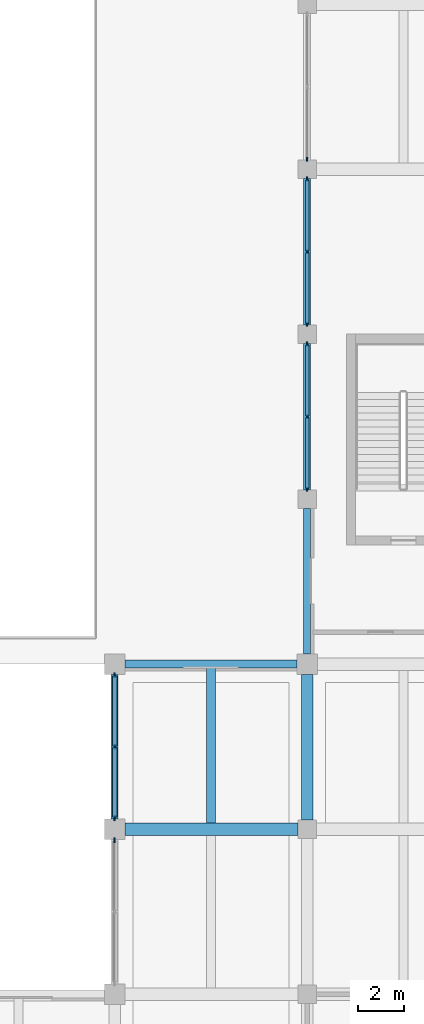
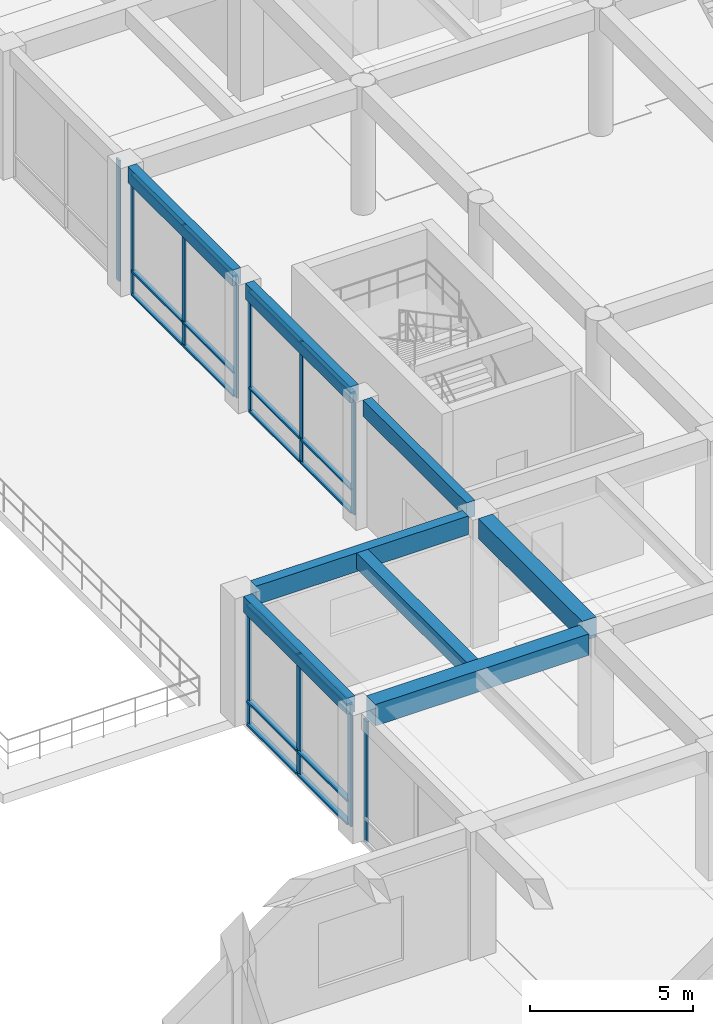
# One storey, part 7 of 49: 29 members, 8 beams, 5 elements without a shape of their own.
"""IFC4 building model written with IfcOpenShell, lengths in metres."""

from ifc_helpers import new_model, si_unit, direction, frame, origin, origin_2d, place, context, subcontext, project, spatial, rectangle, extrude, material, material_profile, profile_set, type_object, element, aggregate, save


model = new_model("IFC4")

# Units and contexts
model_context = context("Model", 3, precision=1e-05, world=origin(), true_north=direction((0.0, 1.0)))
body_context = subcontext(model_context, "Body", "Model", "MODEL_VIEW")
ifc_project = project(units=[si_unit("LENGTHUNIT", "METRE"), si_unit("AREAUNIT", "SQUARE_METRE"), si_unit("VOLUMEUNIT", "CUBIC_METRE"), si_unit("PLANEANGLEUNIT", "RADIAN"), si_unit("MASSUNIT", "GRAM", prefix="KILO")], contexts=[model_context])

# Site, building, storey
site_placement = place(None, origin())
site = spatial("IfcSite", under=ifc_project, at=site_placement, CompositionType="ELEMENT")
building_placement = place(site_placement, origin())
building = spatial("IfcBuilding", under=site, at=building_placement, Name="Kenerak Square Central Library", CompositionType="ELEMENT")
storey_placement = place(building_placement, origin())
storey = spatial("IfcBuildingStorey", under=building, at=storey_placement, Name="L00", CompositionType="ELEMENT", Elevation=0.0)

# Beams
ifc_material_1 = material(Name="Concrete C40/50", Category="concrete")
ifc_material_profile_1 = material_profile(ifc_material_1, rectangle(XDim=0.300048828125, YDim=0.60009765625, at=origin_2d()), Name="RC 300x600")
ifc_profile_set_1 = profile_set([ifc_material_profile_1], Name="Concrete C40/50")
beam_type_1 = type_object("IfcBeamType", Name="Courtyard Spandrel Beam SP-02 RC 300x600 C40/50", PredefinedType="SPANDREL", material=ifc_profile_set_1)
beam_1_placement = place(storey_placement, frame((58.39990234375, 46.050048828125, 4.5), z_axis=(0.0, 1.0, 0.0), x_axis=(-1.0, 0.0, 0.0)))
element("IfcBeam", 1, at=beam_1_placement, inside=storey, type_object=beam_type_1, Name="Beam SP-02 L00 0617", PredefinedType="SPANDREL", context=body_context, shape_type="SweptSolid", body=[
    extrude(rectangle(XDim=0.300048828125, YDim=0.60009765625, at=origin_2d()), origin(), (0.0, 0.0, 1.0), 6.300048828125),
])
beam_2_placement = place(storey_placement, frame((66.800048828125, 53.25, 4.5), z_axis=(0.0, 1.0, 0.0), x_axis=(-1.0, 0.0, 0.0)))
element("IfcBeam", 2, at=beam_2_placement, inside=storey, type_object=beam_type_1, Name="Beam SP-02 L00 0626", PredefinedType="SPANDREL", context=body_context, shape_type="SweptSolid", body=[
    extrude(rectangle(XDim=0.300048828125, YDim=0.60009765625, at=origin_2d()), origin(), (0.0, 0.0, 1.0), 6.35009765625),
])
beam_3_placement = place(storey_placement, frame((66.800048828125, 60.39990234375, 4.5), z_axis=(0.0, 1.0, 0.0), x_axis=(-1.0, 0.0, 0.0)))
element("IfcBeam", 3, at=beam_3_placement, inside=storey, type_object=beam_type_1, Name="Beam SP-02 L00 0627", PredefinedType="SPANDREL", context=body_context, shape_type="SweptSolid", body=[
    extrude(rectangle(XDim=0.300048828125, YDim=0.60009765625, at=origin_2d()), origin(), (0.0, 0.0, 1.0), 6.400146484375),
])
beam_4_placement = place(storey_placement, frame((66.800048828125, 67.60009765625, 4.5), z_axis=(0.0, 1.0, 0.0), x_axis=(-1.0, 0.0, 0.0)))
element("IfcBeam", 4, at=beam_4_placement, inside=storey, type_object=beam_type_1, Name="Beam SP-02 L00 0628", PredefinedType="SPANDREL", context=body_context, shape_type="SweptSolid", body=[
    extrude(rectangle(XDim=0.300048828125, YDim=0.60009765625, at=origin_2d()), origin(), (0.0, 0.0, 1.0), 6.39990234375),
])

# Curtain wall, members
ifc_material_2 = material(Name="Anodised aluminium and solar-control low-E glazing", Category="aluminium")
curtain_wall_type_1 = type_object("IfcCurtainWallType", Name="Curtain Wall CW-V4-64x45 6400x4525", PredefinedType="USERDEFINED", material=ifc_material_2)
curtain_wall_1_placement = place(storey_placement, origin())
curtain_wall_1 = element("IfcCurtainWall", 5, at=curtain_wall_1_placement, inside=storey, type_object=curtain_wall_type_1, Name="Curtain Wall CW-V4-64x45 L00 0003", ObjectType="CURTAIN WALL", PredefinedType="USERDEFINED")
ifc_material_3 = material(Name="Anodised aluminium 6063-T6", Category="aluminium")
ifc_material_profile_2 = material_profile(ifc_material_3, rectangle(XDim=0.06494140625, YDim=0.179931640625, at=origin_2d()), Name="AL MULLION 65x180")
ifc_profile_set_2 = profile_set([ifc_material_profile_2], Name="Anodised aluminium 6063-T6")
member_type_1 = type_object("IfcMemberType", Name="Curtain Mullion CM-01 65x180", PredefinedType="MULLION", material=ifc_profile_set_2)
member_1_placement = place(storey_placement, frame((66.800048828125, 60.4326171875, 0.0), z_axis=(0.0, 0.0, 1.0), x_axis=(-1.0, 0.0, 0.0)))
member_1 = element("IfcMember", 6, at=member_1_placement, type_object=member_type_1, Name="CW-V4-64x45 Mullion 1", PredefinedType="MULLION", context=body_context, shape_type="SweptSolid", body=[
    extrude(rectangle(XDim=0.06494140625, YDim=0.179931640625, at=origin_2d()), origin(), (0.0, 0.0, 1.0), 4.52490234375),
])
member_2_placement = place(storey_placement, frame((66.800048828125, 63.60009765625, 0.0), z_axis=(0.0, 0.0, 1.0), x_axis=(-1.0, 0.0, 0.0)))
member_2 = element("IfcMember", 7, at=member_2_placement, type_object=member_type_1, Name="CW-V4-64x45 Mullion 2", PredefinedType="MULLION", context=body_context, shape_type="SweptSolid", body=[
    extrude(rectangle(XDim=0.06494140625, YDim=0.179931640625, at=origin_2d()), origin(), (0.0, 0.0, 1.0), 4.52490234375),
])
member_3_placement = place(storey_placement, frame((66.800048828125, 66.767578125, 0.0), z_axis=(0.0, 0.0, 1.0), x_axis=(-1.0, 0.0, 0.0)))
member_3 = element("IfcMember", 8, at=member_3_placement, type_object=member_type_1, Name="CW-V4-64x45 Mullion 3", PredefinedType="MULLION", context=body_context, shape_type="SweptSolid", body=[
    extrude(rectangle(XDim=0.06494140625, YDim=0.179931640625, at=origin_2d()), origin(), (0.0, 0.0, 1.0), 4.52490234375),
])

curtain_wall_2_placement = place(storey_placement, origin())
curtain_wall_2 = element("IfcCurtainWall", 9, at=curtain_wall_2_placement, inside=storey, type_object=curtain_wall_type_1, Name="Curtain Wall CW-V4-64x45 L00 0004", ObjectType="CURTAIN WALL", PredefinedType="USERDEFINED")
member_4_placement = place(storey_placement, frame((66.800048828125, 67.632568359375, 0.0), z_axis=(0.0, 0.0, 1.0), x_axis=(-1.0, 0.0, 0.0)))
member_4 = element("IfcMember", 10, at=member_4_placement, type_object=member_type_1, Name="CW-V4-64x45 Mullion 1", PredefinedType="MULLION", context=body_context, shape_type="SweptSolid", body=[
    extrude(rectangle(XDim=0.06494140625, YDim=0.179931640625, at=origin_2d()), origin(), (0.0, 0.0, 1.0), 4.52490234375),
])
member_5_placement = place(storey_placement, frame((66.800048828125, 70.800048828125, 0.0), z_axis=(0.0, 0.0, 1.0), x_axis=(-1.0, 0.0, 0.0)))
member_5 = element("IfcMember", 11, at=member_5_placement, type_object=member_type_1, Name="CW-V4-64x45 Mullion 2", PredefinedType="MULLION", context=body_context, shape_type="SweptSolid", body=[
    extrude(rectangle(XDim=0.06494140625, YDim=0.179931640625, at=origin_2d()), origin(), (0.0, 0.0, 1.0), 4.52490234375),
])
member_6_placement = place(storey_placement, frame((66.800048828125, 73.967529296875, 0.0), z_axis=(0.0, 0.0, 1.0), x_axis=(-1.0, 0.0, 0.0)))
member_6 = element("IfcMember", 12, at=member_6_placement, type_object=member_type_1, Name="CW-V4-64x45 Mullion 3", PredefinedType="MULLION", context=body_context, shape_type="SweptSolid", body=[
    extrude(rectangle(XDim=0.06494140625, YDim=0.179931640625, at=origin_2d()), origin(), (0.0, 0.0, 1.0), 4.52490234375),
])

# Curtain wall, member
curtain_wall_3_placement = place(storey_placement, origin())
curtain_wall_3 = element("IfcCurtainWall", 13, at=curtain_wall_3_placement, inside=storey, type_object=curtain_wall_type_1, Name="Curtain Wall CW-V4-64x45 L00 0005", ObjectType="CURTAIN WALL", PredefinedType="USERDEFINED")
member_7_placement = place(storey_placement, frame((66.800048828125, 74.83251953125, 0.0), z_axis=(0.0, 0.0, 1.0), x_axis=(-1.0, 0.0, 0.0)))
member_7 = element("IfcMember", 14, at=member_7_placement, type_object=member_type_1, Name="CW-V4-64x45 Mullion 1", PredefinedType="MULLION", context=body_context, shape_type="SweptSolid", body=[
    extrude(rectangle(XDim=0.06494140625, YDim=0.179931640625, at=origin_2d()), origin(), (0.0, 0.0, 1.0), 4.52490234375),
])
aggregate(curtain_wall_3, [member_7])

curtain_wall_type_2 = type_object("IfcCurtainWallType", Name="Curtain Wall CW-V1-63x45 6300x4525", PredefinedType="USERDEFINED", material=ifc_material_2)
curtain_wall_4_placement = place(storey_placement, origin())
curtain_wall_4 = element("IfcCurtainWall", 15, at=curtain_wall_4_placement, inside=storey, type_object=curtain_wall_type_2, Name="Curtain Wall CW-V1-63x45 L00 0001", ObjectType="CURTAIN WALL", PredefinedType="USERDEFINED")
ifc_material_profile_3 = material_profile(ifc_material_3, rectangle(XDim=0.074951171875, YDim=0.219970703125, at=origin_2d()), Name="AL MULLION 75x220")
ifc_profile_set_3 = profile_set([ifc_material_profile_3], Name="Anodised aluminium 6063-T6")
member_type_2 = type_object("IfcMemberType", Name="Curtain Mullion CM-02 75x220", PredefinedType="MULLION", material=ifc_profile_set_3)
member_8_placement = place(storey_placement, frame((58.39990234375, 45.112548828125, 0.0), z_axis=(0.0, 0.0, 1.0), x_axis=(-1.0, 0.0, 0.0)))
member_8 = element("IfcMember", 16, at=member_8_placement, type_object=member_type_2, Name="CW-V1-63x45 Mullion 3", PredefinedType="MULLION", context=body_context, shape_type="SweptSolid", body=[
    extrude(rectangle(XDim=0.074951171875, YDim=0.219970703125, at=origin_2d()), origin(), (0.0, 0.0, 1.0), 4.52490234375),
])
aggregate(curtain_wall_4, [member_8])

# Curtain wall, members
curtain_wall_5_placement = place(storey_placement, origin())
curtain_wall_5 = element("IfcCurtainWall", 17, at=curtain_wall_5_placement, inside=storey, type_object=curtain_wall_type_2, Name="Curtain Wall CW-V1-63x45 L00 0002", ObjectType="CURTAIN WALL", PredefinedType="USERDEFINED")
member_9_placement = place(storey_placement, frame((58.39990234375, 46.08740234375, 0.0), z_axis=(0.0, 0.0, 1.0), x_axis=(-1.0, 0.0, 0.0)))
member_9 = element("IfcMember", 18, at=member_9_placement, type_object=member_type_2, Name="CW-V1-63x45 Mullion 1", PredefinedType="MULLION", context=body_context, shape_type="SweptSolid", body=[
    extrude(rectangle(XDim=0.074951171875, YDim=0.219970703125, at=origin_2d()), origin(), (0.0, 0.0, 1.0), 4.52490234375),
])
member_10_placement = place(storey_placement, frame((58.39990234375, 49.199951171875, 0.0), z_axis=(0.0, 0.0, 1.0), x_axis=(-1.0, 0.0, 0.0)))
member_10 = element("IfcMember", 19, at=member_10_placement, type_object=member_type_2, Name="CW-V1-63x45 Mullion 2", PredefinedType="MULLION", context=body_context, shape_type="SweptSolid", body=[
    extrude(rectangle(XDim=0.074951171875, YDim=0.219970703125, at=origin_2d()), origin(), (0.0, 0.0, 1.0), 4.52490234375),
])
member_11_placement = place(storey_placement, frame((58.39990234375, 52.3125, 0.0), z_axis=(0.0, 0.0, 1.0), x_axis=(-1.0, 0.0, 0.0)))
member_11 = element("IfcMember", 20, at=member_11_placement, type_object=member_type_2, Name="CW-V1-63x45 Mullion 3", PredefinedType="MULLION", context=body_context, shape_type="SweptSolid", body=[
    extrude(rectangle(XDim=0.074951171875, YDim=0.219970703125, at=origin_2d()), origin(), (0.0, 0.0, 1.0), 4.52490234375),
])

# Member
ifc_material_profile_4 = material_profile(ifc_material_3, rectangle(XDim=0.159912109375, YDim=0.06494140625, at=origin_2d()), Name="AL TRANSOM 160x65")
ifc_profile_set_4 = profile_set([ifc_material_profile_4], Name="Anodised aluminium 6063-T6")
member_type_3 = type_object("IfcMemberType", Name="Curtain Transom CT-11 160x65", PredefinedType="USERDEFINED", material=ifc_profile_set_4)
member_12_placement = place(storey_placement, frame((66.800048828125, 60.465087890625, 0.032470703125), z_axis=(0.0, 1.0, 0.0), x_axis=(-1.0, 0.0, 0.0)))
member_12 = element("IfcMember", 21, at=member_12_placement, type_object=member_type_3, Name="CW-V4-64x45 Transom 1.1", ObjectType="TRANSOM", PredefinedType="USERDEFINED", context=body_context, shape_type="SweptSolid", body=[
    extrude(rectangle(XDim=0.159912109375, YDim=0.06494140625, at=origin_2d()), origin(), (0.0, 0.0, 1.0), 3.102294921875),
])

member_13_placement = place(storey_placement, frame((66.800048828125, 60.465087890625, 0.89990234375), z_axis=(0.0, 1.0, 0.0), x_axis=(-1.0, 0.0, 0.0)))
member_13 = element("IfcMember", 22, at=member_13_placement, type_object=member_type_3, Name="CW-V4-64x45 Transom 1.2", ObjectType="TRANSOM", PredefinedType="USERDEFINED", context=body_context, shape_type="SweptSolid", body=[
    extrude(rectangle(XDim=0.159912109375, YDim=0.06494140625, at=origin_2d()), origin(), (0.0, 0.0, 1.0), 3.102294921875),
])

member_14_placement = place(storey_placement, frame((66.800048828125, 60.465087890625, 4.492431640625), z_axis=(0.0, 1.0, 0.0), x_axis=(-1.0, 0.0, 0.0)))
member_14 = element("IfcMember", 23, at=member_14_placement, type_object=member_type_3, Name="CW-V4-64x45 Transom 1.3", ObjectType="TRANSOM", PredefinedType="USERDEFINED", context=body_context, shape_type="SweptSolid", body=[
    extrude(rectangle(XDim=0.159912109375, YDim=0.06494140625, at=origin_2d()), origin(), (0.0, 0.0, 1.0), 3.102294921875),
])

member_15_placement = place(storey_placement, frame((66.800048828125, 63.632568359375, 0.032470703125), z_axis=(0.0, 1.0, 0.0), x_axis=(-1.0, 0.0, 0.0)))
member_15 = element("IfcMember", 24, at=member_15_placement, type_object=member_type_3, Name="CW-V4-64x45 Transom 2.1", ObjectType="TRANSOM", PredefinedType="USERDEFINED", context=body_context, shape_type="SweptSolid", body=[
    extrude(rectangle(XDim=0.159912109375, YDim=0.06494140625, at=origin_2d()), origin(), (0.0, 0.0, 1.0), 3.1025390625),
])

member_16_placement = place(storey_placement, frame((66.800048828125, 63.632568359375, 0.89990234375), z_axis=(0.0, 1.0, 0.0), x_axis=(-1.0, 0.0, 0.0)))
member_16 = element("IfcMember", 25, at=member_16_placement, type_object=member_type_3, Name="CW-V4-64x45 Transom 2.2", ObjectType="TRANSOM", PredefinedType="USERDEFINED", context=body_context, shape_type="SweptSolid", body=[
    extrude(rectangle(XDim=0.159912109375, YDim=0.06494140625, at=origin_2d()), origin(), (0.0, 0.0, 1.0), 3.1025390625),
])

member_17_placement = place(storey_placement, frame((66.800048828125, 63.632568359375, 4.492431640625), z_axis=(0.0, 1.0, 0.0), x_axis=(-1.0, 0.0, 0.0)))
member_17 = element("IfcMember", 26, at=member_17_placement, type_object=member_type_3, Name="CW-V4-64x45 Transom 2.3", ObjectType="TRANSOM", PredefinedType="USERDEFINED", context=body_context, shape_type="SweptSolid", body=[
    extrude(rectangle(XDim=0.159912109375, YDim=0.06494140625, at=origin_2d()), origin(), (0.0, 0.0, 1.0), 3.1025390625),
])

aggregate(curtain_wall_1, [member_1, member_2, member_3, member_12, member_13, member_14, member_15, member_16, member_17])

member_18_placement = place(storey_placement, frame((66.800048828125, 67.6650390625, 0.032470703125), z_axis=(0.0, 1.0, 0.0), x_axis=(-1.0, 0.0, 0.0)))
member_18 = element("IfcMember", 27, at=member_18_placement, type_object=member_type_3, Name="CW-V4-64x45 Transom 1.1", ObjectType="TRANSOM", PredefinedType="USERDEFINED", context=body_context, shape_type="SweptSolid", body=[
    extrude(rectangle(XDim=0.159912109375, YDim=0.06494140625, at=origin_2d()), origin(), (0.0, 0.0, 1.0), 3.1025390625),
])

member_19_placement = place(storey_placement, frame((66.800048828125, 67.6650390625, 0.89990234375), z_axis=(0.0, 1.0, 0.0), x_axis=(-1.0, 0.0, 0.0)))
member_19 = element("IfcMember", 28, at=member_19_placement, type_object=member_type_3, Name="CW-V4-64x45 Transom 1.2", ObjectType="TRANSOM", PredefinedType="USERDEFINED", context=body_context, shape_type="SweptSolid", body=[
    extrude(rectangle(XDim=0.159912109375, YDim=0.06494140625, at=origin_2d()), origin(), (0.0, 0.0, 1.0), 3.1025390625),
])

member_20_placement = place(storey_placement, frame((66.800048828125, 67.6650390625, 4.492431640625), z_axis=(0.0, 1.0, 0.0), x_axis=(-1.0, 0.0, 0.0)))
member_20 = element("IfcMember", 29, at=member_20_placement, type_object=member_type_3, Name="CW-V4-64x45 Transom 1.3", ObjectType="TRANSOM", PredefinedType="USERDEFINED", context=body_context, shape_type="SweptSolid", body=[
    extrude(rectangle(XDim=0.159912109375, YDim=0.06494140625, at=origin_2d()), origin(), (0.0, 0.0, 1.0), 3.1025390625),
])

member_21_placement = place(storey_placement, frame((66.800048828125, 70.83251953125, 0.032470703125), z_axis=(0.0, 1.0, 0.0), x_axis=(-1.0, 0.0, 0.0)))
member_21 = element("IfcMember", 30, at=member_21_placement, type_object=member_type_3, Name="CW-V4-64x45 Transom 2.1", ObjectType="TRANSOM", PredefinedType="USERDEFINED", context=body_context, shape_type="SweptSolid", body=[
    extrude(rectangle(XDim=0.159912109375, YDim=0.06494140625, at=origin_2d()), origin(), (0.0, 0.0, 1.0), 3.1025390625),
])

member_22_placement = place(storey_placement, frame((66.800048828125, 70.83251953125, 0.89990234375), z_axis=(0.0, 1.0, 0.0), x_axis=(-1.0, 0.0, 0.0)))
member_22 = element("IfcMember", 31, at=member_22_placement, type_object=member_type_3, Name="CW-V4-64x45 Transom 2.2", ObjectType="TRANSOM", PredefinedType="USERDEFINED", context=body_context, shape_type="SweptSolid", body=[
    extrude(rectangle(XDim=0.159912109375, YDim=0.06494140625, at=origin_2d()), origin(), (0.0, 0.0, 1.0), 3.1025390625),
])

member_23_placement = place(storey_placement, frame((66.800048828125, 70.83251953125, 4.492431640625), z_axis=(0.0, 1.0, 0.0), x_axis=(-1.0, 0.0, 0.0)))
member_23 = element("IfcMember", 32, at=member_23_placement, type_object=member_type_3, Name="CW-V4-64x45 Transom 2.3", ObjectType="TRANSOM", PredefinedType="USERDEFINED", context=body_context, shape_type="SweptSolid", body=[
    extrude(rectangle(XDim=0.159912109375, YDim=0.06494140625, at=origin_2d()), origin(), (0.0, 0.0, 1.0), 3.1025390625),
])

aggregate(curtain_wall_2, [member_4, member_5, member_6, member_18, member_19, member_20, member_21, member_22, member_23])

ifc_material_profile_5 = material_profile(ifc_material_3, rectangle(XDim=0.199951171875, YDim=0.074951171875, at=origin_2d()), Name="AL TRANSOM 200x75")
ifc_profile_set_5 = profile_set([ifc_material_profile_5], Name="Anodised aluminium 6063-T6")
member_type_4 = type_object("IfcMemberType", Name="Curtain Transom CT-12 200x75", PredefinedType="USERDEFINED", material=ifc_profile_set_5)
member_24_placement = place(storey_placement, frame((58.39990234375, 46.125, 0.03759765625), z_axis=(0.0, 1.0, 0.0), x_axis=(-1.0, 0.0, 0.0)))
member_24 = element("IfcMember", 33, at=member_24_placement, type_object=member_type_4, Name="CW-V1-63x45 Transom 1.1", ObjectType="TRANSOM", PredefinedType="USERDEFINED", context=body_context, shape_type="SweptSolid", body=[
    extrude(rectangle(XDim=0.199951171875, YDim=0.074951171875, at=origin_2d()), origin(), (0.0, 0.0, 1.0), 3.03759765625),
])

member_25_placement = place(storey_placement, frame((58.39990234375, 46.125, 0.89990234375), z_axis=(0.0, 1.0, 0.0), x_axis=(-1.0, 0.0, 0.0)))
member_25 = element("IfcMember", 34, at=member_25_placement, type_object=member_type_4, Name="CW-V1-63x45 Transom 1.2", ObjectType="TRANSOM", PredefinedType="USERDEFINED", context=body_context, shape_type="SweptSolid", body=[
    extrude(rectangle(XDim=0.199951171875, YDim=0.074951171875, at=origin_2d()), origin(), (0.0, 0.0, 1.0), 3.03759765625),
])

member_26_placement = place(storey_placement, frame((58.39990234375, 46.125, 4.487548828125), z_axis=(0.0, 1.0, 0.0), x_axis=(-1.0, 0.0, 0.0)))
member_26 = element("IfcMember", 35, at=member_26_placement, type_object=member_type_4, Name="CW-V1-63x45 Transom 1.3", ObjectType="TRANSOM", PredefinedType="USERDEFINED", context=body_context, shape_type="SweptSolid", body=[
    extrude(rectangle(XDim=0.199951171875, YDim=0.074951171875, at=origin_2d()), origin(), (0.0, 0.0, 1.0), 3.03759765625),
])

member_27_placement = place(storey_placement, frame((58.39990234375, 49.237548828125, 0.03759765625), z_axis=(0.0, 1.0, 0.0), x_axis=(-1.0, 0.0, 0.0)))
member_27 = element("IfcMember", 36, at=member_27_placement, type_object=member_type_4, Name="CW-V1-63x45 Transom 2.1", ObjectType="TRANSOM", PredefinedType="USERDEFINED", context=body_context, shape_type="SweptSolid", body=[
    extrude(rectangle(XDim=0.199951171875, YDim=0.074951171875, at=origin_2d()), origin(), (0.0, 0.0, 1.0), 3.037353515625),
])

member_28_placement = place(storey_placement, frame((58.39990234375, 49.237548828125, 0.89990234375), z_axis=(0.0, 1.0, 0.0), x_axis=(-1.0, 0.0, 0.0)))
member_28 = element("IfcMember", 37, at=member_28_placement, type_object=member_type_4, Name="CW-V1-63x45 Transom 2.2", ObjectType="TRANSOM", PredefinedType="USERDEFINED", context=body_context, shape_type="SweptSolid", body=[
    extrude(rectangle(XDim=0.199951171875, YDim=0.074951171875, at=origin_2d()), origin(), (0.0, 0.0, 1.0), 3.037353515625),
])

member_29_placement = place(storey_placement, frame((58.39990234375, 49.237548828125, 4.487548828125), z_axis=(0.0, 1.0, 0.0), x_axis=(-1.0, 0.0, 0.0)))
member_29 = element("IfcMember", 38, at=member_29_placement, type_object=member_type_4, Name="CW-V1-63x45 Transom 2.3", ObjectType="TRANSOM", PredefinedType="USERDEFINED", context=body_context, shape_type="SweptSolid", body=[
    extrude(rectangle(XDim=0.199951171875, YDim=0.074951171875, at=origin_2d()), origin(), (0.0, 0.0, 1.0), 3.037353515625),
])

aggregate(curtain_wall_5, [member_9, member_10, member_11, member_24, member_25, member_26, member_27, member_28, member_29])

# Beams
ifc_material_profile_6 = material_profile(ifc_material_1, rectangle(XDim=0.35009765625, YDim=0.699951171875, at=origin_2d()), Name="RC 350x700")
ifc_profile_set_6 = profile_set([ifc_material_profile_6], Name="Concrete C40/50")
beam_type_2 = type_object("IfcBeamType", Name="Expressed Spandrel Beam SP-01 RC 350x700 C40/50", PredefinedType="SPANDREL", material=ifc_profile_set_6)
beam_5_placement = place(storey_placement, frame((58.85009765625, 52.800048828125, 4.449951171875), z_axis=(1.0, 0.0, 0.0), x_axis=(0.0, 1.0, 0.0)))
element("IfcBeam", 39, at=beam_5_placement, inside=storey, type_object=beam_type_2, Name="Beam SP-01 L00 0516", PredefinedType="SPANDREL", context=body_context, shape_type="SweptSolid", body=[
    extrude(rectangle(XDim=0.35009765625, YDim=0.699951171875, at=origin_2d()), origin(), (0.0, 0.0, 1.0), 7.5),
])
ifc_material_profile_7 = material_profile(ifc_material_1, rectangle(XDim=0.550048828125, YDim=0.800048828125, at=origin_2d()), Name="RC 550x800")
ifc_profile_set_7 = profile_set([ifc_material_profile_7], Name="Concrete C40/50")
beam_type_3 = type_object("IfcBeamType", Name="Primary Reading Beam B-04 RC 550x800 C40/50", PredefinedType="BEAM", material=ifc_profile_set_7)
beam_6_placement = place(storey_placement, frame((58.85009765625, 45.60009765625, 4.39990234375), z_axis=(1.0, 0.0, 0.0), x_axis=(0.0, 1.0, 0.0)))
element("IfcBeam", 40, at=beam_6_placement, inside=storey, type_object=beam_type_3, Name="Beam B-04 L00 0507", PredefinedType="BEAM", context=body_context, shape_type="SweptSolid", body=[
    extrude(rectangle(XDim=0.550048828125, YDim=0.800048828125, at=origin_2d()), origin(), (0.0, 0.0, 1.0), 7.5498046875),
])
ifc_material_profile_8 = material_profile(ifc_material_1, rectangle(XDim=0.39990234375, YDim=0.60009765625, at=origin_2d()), Name="RC 400x600")
ifc_profile_set_8 = profile_set([ifc_material_profile_8], Name="Concrete C40/50")
beam_type_4 = type_object("IfcBeamType", Name="Secondary Floor Joist J-01 RC 400x600 C40/50", PredefinedType="JOIST", material=ifc_profile_set_8)
beam_7_placement = place(storey_placement, frame((62.60009765625, 45.875, 4.5), z_axis=(0.0, 1.0, 0.0), x_axis=(-1.0, 0.0, 0.0)))
element("IfcBeam", 41, at=beam_7_placement, inside=storey, type_object=beam_type_4, Name="Joist J-01 L00 0765", PredefinedType="JOIST", context=body_context, shape_type="SweptSolid", body=[
    extrude(rectangle(XDim=0.39990234375, YDim=0.60009765625, at=origin_2d()), origin(), (0.0, 0.0, 1.0), 6.75),
])
ifc_material_profile_9 = material_profile(ifc_material_1, rectangle(XDim=0.5, YDim=0.75, at=origin_2d()), Name="RC 500x750")
ifc_profile_set_9 = profile_set([ifc_material_profile_9], Name="Concrete C40/50")
beam_type_5 = type_object("IfcBeamType", Name="Transverse Frame Beam B-05 RC 500x750 C40/50", PredefinedType="BEAM", material=ifc_profile_set_9)
beam_8_placement = place(storey_placement, frame((66.800048828125, 46.0, 4.425048828125), z_axis=(0.0, 1.0, 0.0), x_axis=(-1.0, 0.0, 0.0)))
element("IfcBeam", 42, at=beam_8_placement, inside=storey, type_object=beam_type_5, Name="Beam B-05 L00 0625", PredefinedType="BEAM", context=body_context, shape_type="SweptSolid", body=[
    extrude(rectangle(XDim=0.5, YDim=0.75, at=origin_2d()), origin(), (0.0, 0.0, 1.0), 6.35009765625),
])

save(model, "model.ifc")
